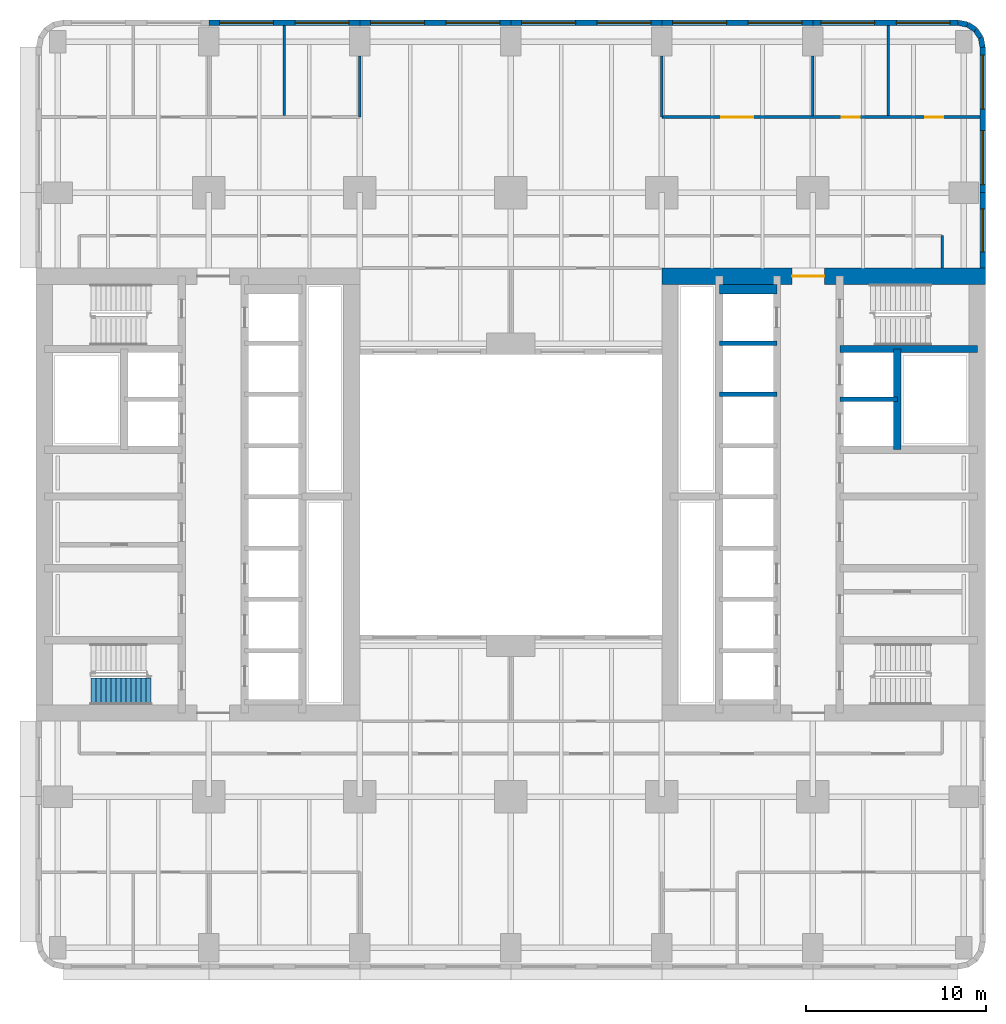
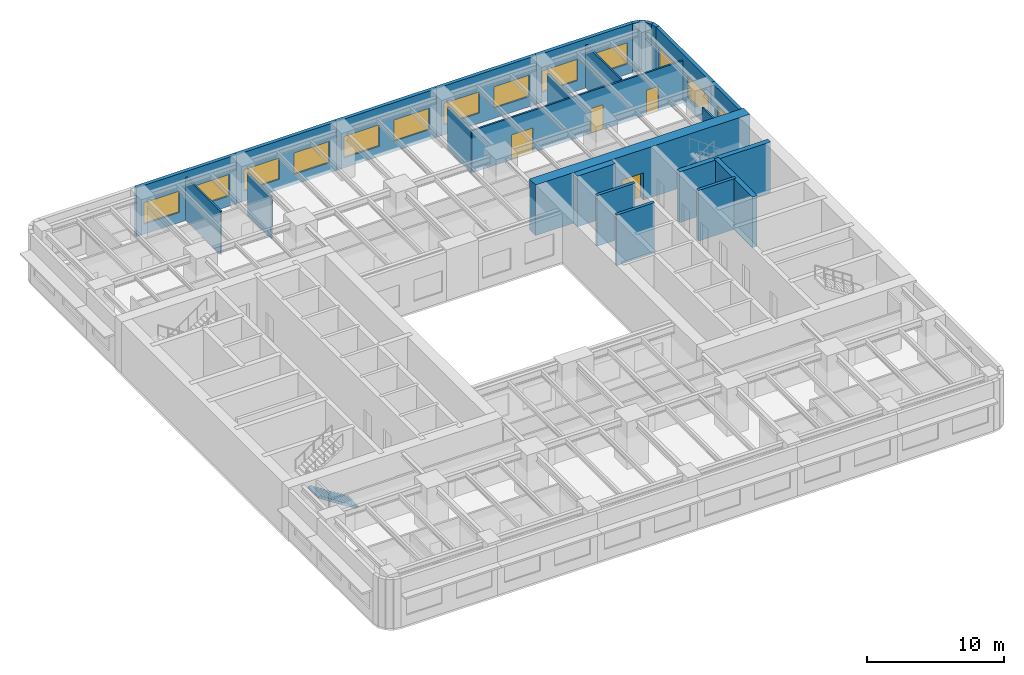
# One storey, part 7 of 14: 25 walls, 13 windows, 4 doors, 1 stair flight, 17 openings, 1 element without a shape of its own.
"""IFC4 building model written with IfcOpenShell, lengths in metres."""

from ifc_helpers import new_model, si_unit, direction, frame, frame_2d, origin, place, context, subcontext, project, spatial, polyline, rectangle, outline, extrude, material, layer, layer_set, type_object, element, fill, aggregate, save


model = new_model("IFC4")

# Units and contexts
model_context = context("Model", 3, precision=1e-05, world=origin(), true_north=direction((0.0, 1.0)))
body_context = subcontext(model_context, "Body", "Model", "MODEL_VIEW")
ifc_project = project(units=[si_unit("LENGTHUNIT", "METRE"), si_unit("AREAUNIT", "SQUARE_METRE"), si_unit("VOLUMEUNIT", "CUBIC_METRE"), si_unit("PLANEANGLEUNIT", "RADIAN"), si_unit("MASSUNIT", "GRAM", prefix="KILO")], contexts=[model_context])

# Site, building, storey
site_placement = place(None, origin())
site = spatial("IfcSite", under=ifc_project, at=site_placement, CompositionType="ELEMENT")
building_placement = place(site_placement, origin())
building = spatial("IfcBuilding", under=site, at=building_placement, Name="Claustro Exchange Tower", CompositionType="ELEMENT")
storey_placement = place(building_placement, frame((0.0, 0.0, 23.39990234375)))
storey = spatial("IfcBuildingStorey", under=building, at=storey_placement, Name="L05", CompositionType="ELEMENT", Elevation=23.39990234375)

# Walls
ifc_material_1 = material(Name="Gypsum board on steel studs", Category="steel")
ifc_layer_1 = layer(ifc_material_1, 0.14990234375)
ifc_layer_set_1 = layer_set([ifc_layer_1], Name="Gypsum board on steel studs")
wall_type_1 = type_object("IfcWallType", Name="P1 150 plasterboard partition", PredefinedType="PARTITIONING", material=ifc_layer_set_1)
wall_1_placement = place(storey_placement, frame((12.60009765625, 46.27392578125, 0.0), z_axis=(0.0, 0.0, 1.0), x_axis=(0.0, 1.0, 0.0)))
element("IfcWall", 1, at=wall_1_placement, inside=storey, type_object=wall_type_1, Name="Partition P1 L05", PredefinedType="PARTITIONING", context=body_context, shape_type="SweptSolid", body=[
    extrude(rectangle(XDim=5.028076171875, YDim=0.14990234375, at=frame_2d((2.51416015625, 0.0))), origin(), (0.0, 0.0, 1.0), 3.840087890625),
])
wall_2_placement = place(storey_placement, frame((16.800048828125, 46.199951171875, 0.0), z_axis=(0.0, 0.0, 1.0), x_axis=(0.0, 1.0, 0.0)))
element("IfcWall", 2, at=wall_2_placement, inside=storey, type_object=wall_type_1, Name="Partition P1 L05", PredefinedType="PARTITIONING", context=body_context, shape_type="SweptSolid", body=[
    extrude(rectangle(XDim=3.401123046875, YDim=0.14990234375, at=frame_2d((1.70068359375, 0.0))), origin(), (0.0, 0.0, 1.0), 3.739990234375),
])

# Wall, openings, doors
wall_3_placement = place(storey_placement, frame((33.60009765625, 46.199951171875, 0.0), z_axis=(0.0, 0.0, 1.0), x_axis=(1.0, 0.0, 0.0)))
wall_3 = element("IfcWall", 3, at=wall_3_placement, inside=storey, type_object=wall_type_1, Name="Partition P1 L05", PredefinedType="PARTITIONING", context=body_context, shape_type="SweptSolid", body=[
    extrude(rectangle(XDim=17.701904296875, YDim=0.14990234375, at=frame_2d((8.85107421875, 0.0))), origin(), (0.0, 0.0, 1.0), 3.739990234375),
])
opening_1_placement = place(wall_3_placement, frame((3.300048828125, 0.0, 0.0)))
opening_1 = element("IfcOpeningElement", 4, at=opening_1_placement, cuts=wall_3, Name="Opening D2", PredefinedType="OPENING", context=body_context, shape_type="SweptSolid", body=[
    extrude(rectangle(XDim=1.800048828125, YDim=2.199951171875, at=frame_2d((0.89990234375, 1.10009765625))), frame((0.0, 0.0849609375, 0.0), z_axis=(0.0, -1.0, 0.0), x_axis=(1.0, 0.0, 0.0)), (0.0, 0.0, 1.0), 0.169921875),
])
opening_2_placement = place(wall_3_placement, frame((10.0, 0.0, 0.0)))
opening_2 = element("IfcOpeningElement", 5, at=opening_2_placement, cuts=wall_3, Name="Opening D1", PredefinedType="OPENING", context=body_context, shape_type="SweptSolid", body=[
    extrude(rectangle(XDim=1.0, YDim=2.199951171875, at=frame_2d((0.5, 1.10009765625))), frame((0.0, 0.0849609375, 0.0), z_axis=(0.0, -1.0, 0.0), x_axis=(1.0, 0.0, 0.0)), (0.0, 0.0, 1.0), 0.169921875),
])
opening_3_placement = place(wall_3_placement, frame((14.64990234375, 0.0, 0.0)))
opening_3 = element("IfcOpeningElement", 6, at=opening_3_placement, cuts=wall_3, Name="Opening D1", PredefinedType="OPENING", context=body_context, shape_type="SweptSolid", body=[
    extrude(rectangle(XDim=1.0, YDim=2.199951171875, at=frame_2d((0.5, 1.10009765625))), frame((0.0, 0.0849609375, 0.0), z_axis=(0.0, -1.0, 0.0), x_axis=(1.0, 0.0, 0.0)), (0.0, 0.0, 1.0), 0.169921875),
])
ifc_material_2 = material(Name="Timber door, oak veneer", Category="wood")
door_type_1 = type_object("IfcDoorType", Name="D1 1000 x 2200 single door", OperationType="SINGLE_SWING_LEFT", PredefinedType="DOOR", material=ifc_material_2)
door_1_placement = place(opening_2_placement, origin())
door_1 = element("IfcDoor", 7, at=door_1_placement, inside=storey, type_object=door_type_1, Name="Door D1 L05", OperationType="SINGLE_SWING_LEFT", OverallHeight=2.199951171875, OverallWidth=1.0, PredefinedType="DOOR", context=body_context, shape_type="SweptSolid", body=[
    extrude(rectangle(XDim=1.0, YDim=2.199951171875, at=frame_2d((0.5, 1.10009765625))), frame((0.0, 0.02490234375, 0.0), z_axis=(0.0, -1.0, 0.0), x_axis=(1.0, 0.0, 0.0)), (0.0, 0.0, 1.0), 0.050048828125),
])
fill(opening_2, door_1)
door_2_placement = place(opening_3_placement, origin())
door_2 = element("IfcDoor", 8, at=door_2_placement, inside=storey, type_object=door_type_1, Name="Door D1 L05", OperationType="SINGLE_SWING_LEFT", OverallHeight=2.199951171875, OverallWidth=1.0, PredefinedType="DOOR", context=body_context, shape_type="SweptSolid", body=[
    extrude(rectangle(XDim=1.0, YDim=2.199951171875, at=frame_2d((0.5, 1.10009765625))), frame((0.0, 0.02490234375, 0.0), z_axis=(0.0, -1.0, 0.0), x_axis=(1.0, 0.0, 0.0)), (0.0, 0.0, 1.0), 0.050048828125),
])
fill(opening_3, door_2)
ifc_material_3 = material(Name="Timber door, oak veneer", Category="wood")
door_type_2 = type_object("IfcDoorType", Name="D2 1800 x 2200 double door", OperationType="DOUBLE_DOOR_SINGLE_SWING", PredefinedType="DOOR", material=ifc_material_3)
door_3_placement = place(opening_1_placement, origin())
door_3 = element("IfcDoor", 9, at=door_3_placement, inside=storey, type_object=door_type_2, Name="Double door D2 L05", OperationType="DOUBLE_DOOR_SINGLE_SWING", OverallHeight=2.199951171875, OverallWidth=1.800048828125, PredefinedType="DOOR", context=body_context, shape_type="SweptSolid", body=[
    extrude(rectangle(XDim=1.800048828125, YDim=2.199951171875, at=frame_2d((0.89990234375, 1.10009765625))), frame((0.0, 0.02490234375, 0.0), z_axis=(0.0, -1.0, 0.0), x_axis=(1.0, 0.0, 0.0)), (0.0, 0.0, 1.0), 0.050048828125),
])
fill(opening_1, door_3)

# Walls
wall_4_placement = place(storey_placement, frame((33.60009765625, 46.199951171875, 0.0), z_axis=(0.0, 0.0, 1.0), x_axis=(0.0, 1.0, 0.0)))
element("IfcWall", 10, at=wall_4_placement, inside=storey, type_object=wall_type_1, Name="Partition P1 L05", PredefinedType="PARTITIONING", context=body_context, shape_type="SweptSolid", body=[
    extrude(rectangle(XDim=3.401123046875, YDim=0.14990234375, at=frame_2d((1.70068359375, 0.0))), origin(), (0.0, 0.0, 1.0), 3.739990234375),
])
wall_5_placement = place(storey_placement, frame((42.0, 46.27392578125, 0.0), z_axis=(0.0, 0.0, 1.0), x_axis=(0.0, 1.0, 0.0)))
element("IfcWall", 11, at=wall_5_placement, inside=storey, type_object=wall_type_1, Name="Partition P1 L05", PredefinedType="PARTITIONING", context=body_context, shape_type="SweptSolid", body=[
    extrude(rectangle(XDim=3.3271484375, YDim=0.14990234375, at=frame_2d((1.66357421875, 0.0))), origin(), (0.0, 0.0, 1.0), 3.739990234375),
])
wall_6_placement = place(storey_placement, frame((46.199951171875, 46.27392578125, 0.0), z_axis=(0.0, 0.0, 1.0), x_axis=(0.0, 1.0, 0.0)))
element("IfcWall", 12, at=wall_6_placement, inside=storey, type_object=wall_type_1, Name="Partition P1 L05", PredefinedType="PARTITIONING", context=body_context, shape_type="SweptSolid", body=[
    extrude(rectangle(XDim=5.028076171875, YDim=0.14990234375, at=frame_2d((2.51416015625, 0.0))), origin(), (0.0, 0.0, 1.0), 3.840087890625),
])
wall_7_placement = place(storey_placement, frame((49.199951171875, 37.800048828125, 0.0), z_axis=(0.0, 0.0, 1.0), x_axis=(0.0, 1.0, 0.0)))
element("IfcWall", 13, at=wall_7_placement, inside=storey, type_object=wall_type_1, Name="Partition P1 L05", PredefinedType="PARTITIONING", context=body_context, shape_type="SweptSolid", body=[
    extrude(rectangle(XDim=1.800048828125, YDim=0.14990234375, at=frame_2d((0.89990234375, 0.0))), origin(), (0.0, 0.0, 1.0), 4.340087890625),
])

# Wall, openings, windows
ifc_material_4 = material(Name="Concrete HA-40 (C40/50), precast, white cement, acid-etched", Category="concrete")
ifc_layer_2 = layer(ifc_material_4, 0.300048828125)
ifc_layer_set_2 = layer_set([ifc_layer_2], Name="Concrete HA-40 (C40/50), precast, white cement, acid-etched")
wall_type_2 = type_object("IfcWallType", Name="PC1 300 precast concrete pier panel", PredefinedType="SOLIDWALL", material=ifc_layer_set_2)
wall_8_placement = place(storey_placement, frame((8.39990234375, 51.449951171875, 0.0), z_axis=(0.0, 0.0, 1.0), x_axis=(1.0, 0.0, 0.0)))
wall_8 = element("IfcWall", 14, at=wall_8_placement, inside=storey, type_object=wall_type_2, Name="Precast pier panel PC1 L05", PredefinedType="SOLIDWALL", context=body_context, shape_type="SweptSolid", body=[
    extrude(rectangle(XDim=8.400146484375, YDim=0.300048828125, at=frame_2d((4.2001953125, 0.0))), origin(), (0.0, 0.0, 1.0), 4.340087890625),
])
opening_4_placement = place(wall_8_placement, frame((0.60009765625, 0.0, 0.89990234375)))
opening_4 = element("IfcOpeningElement", 15, at=opening_4_placement, cuts=wall_8, Name="Opening W1", PredefinedType="OPENING", context=body_context, shape_type="SweptSolid", body=[
    extrude(rectangle(XDim=3.0, YDim=1.89990234375, at=frame_2d((1.5, 0.949951171875))), frame((0.0, 0.159912109375, 0.0), z_axis=(0.0, -1.0, 0.0), x_axis=(1.0, 0.0, 0.0)), (0.0, 0.0, 1.0), 0.320068359375),
])
opening_5_placement = place(wall_8_placement, frame((4.800048828125, 0.0, 0.89990234375)))
opening_5 = element("IfcOpeningElement", 16, at=opening_5_placement, cuts=wall_8, Name="Opening W1", PredefinedType="OPENING", context=body_context, shape_type="SweptSolid", body=[
    extrude(rectangle(XDim=3.0, YDim=1.89990234375, at=frame_2d((1.5, 0.949951171875))), frame((0.0, 0.159912109375, 0.0), z_axis=(0.0, -1.0, 0.0), x_axis=(1.0, 0.0, 0.0)), (0.0, 0.0, 1.0), 0.320068359375),
])
ifc_material_5 = material(Name="Aluminium frame, clear double glazing", Category="aluminium")
window_type_1 = type_object("IfcWindowType", Name="W1 3000 x 1900 window", PartitioningType="SINGLE_PANEL", PredefinedType="WINDOW", material=ifc_material_5)
window_1_placement = place(opening_4_placement, origin())
window_1 = element("IfcWindow", 17, at=window_1_placement, inside=storey, type_object=window_type_1, Name="Window W1 L05", OverallHeight=1.89990234375, OverallWidth=3.0, PartitioningType="SINGLE_PANEL", PredefinedType="WINDOW", context=body_context, shape_type="SweptSolid", body=[
    extrude(rectangle(XDim=3.0, YDim=1.89990234375, at=frame_2d((1.5, 0.949951171875))), frame((0.0, 0.030029296875, 0.0), z_axis=(0.0, -1.0, 0.0), x_axis=(1.0, 0.0, 0.0)), (0.0, 0.0, 1.0), 0.06005859375),
])
fill(opening_4, window_1)
window_2_placement = place(opening_5_placement, origin())
window_2 = element("IfcWindow", 18, at=window_2_placement, inside=storey, type_object=window_type_1, Name="Window W1 L05", OverallHeight=1.89990234375, OverallWidth=3.0, PartitioningType="SINGLE_PANEL", PredefinedType="WINDOW", context=body_context, shape_type="SweptSolid", body=[
    extrude(rectangle(XDim=3.0, YDim=1.89990234375, at=frame_2d((1.5, 0.949951171875))), frame((0.0, 0.030029296875, 0.0), z_axis=(0.0, -1.0, 0.0), x_axis=(1.0, 0.0, 0.0)), (0.0, 0.0, 1.0), 0.06005859375),
])
fill(opening_5, window_2)

wall_9_placement = place(storey_placement, frame((16.800048828125, 51.449951171875, 0.0), z_axis=(0.0, 0.0, 1.0), x_axis=(1.0, 0.0, 0.0)))
wall_9 = element("IfcWall", 19, at=wall_9_placement, inside=storey, type_object=wall_type_2, Name="Precast pier panel PC1 L05", PredefinedType="SOLIDWALL", context=body_context, shape_type="SweptSolid", body=[
    extrude(rectangle(XDim=8.39990234375, YDim=0.300048828125, at=frame_2d((4.199951171875, 0.0))), origin(), (0.0, 0.0, 1.0), 4.340087890625),
])
opening_6_placement = place(wall_9_placement, frame((0.60009765625, 0.0, 0.89990234375)))
opening_6 = element("IfcOpeningElement", 20, at=opening_6_placement, cuts=wall_9, Name="Opening W1", PredefinedType="OPENING", context=body_context, shape_type="SweptSolid", body=[
    extrude(rectangle(XDim=3.0, YDim=1.89990234375, at=frame_2d((1.5, 0.949951171875))), frame((0.0, 0.159912109375, 0.0), z_axis=(0.0, -1.0, 0.0), x_axis=(1.0, 0.0, 0.0)), (0.0, 0.0, 1.0), 0.320068359375),
])
opening_7_placement = place(wall_9_placement, frame((4.800048828125, 0.0, 0.89990234375)))
opening_7 = element("IfcOpeningElement", 21, at=opening_7_placement, cuts=wall_9, Name="Opening W1", PredefinedType="OPENING", context=body_context, shape_type="SweptSolid", body=[
    extrude(rectangle(XDim=3.0, YDim=1.89990234375, at=frame_2d((1.5, 0.949951171875))), frame((0.0, 0.159912109375, 0.0), z_axis=(0.0, -1.0, 0.0), x_axis=(1.0, 0.0, 0.0)), (0.0, 0.0, 1.0), 0.320068359375),
])
window_3_placement = place(opening_6_placement, origin())
window_3 = element("IfcWindow", 22, at=window_3_placement, inside=storey, type_object=window_type_1, Name="Window W1 L05", OverallHeight=1.89990234375, OverallWidth=3.0, PartitioningType="SINGLE_PANEL", PredefinedType="WINDOW", context=body_context, shape_type="SweptSolid", body=[
    extrude(rectangle(XDim=3.0, YDim=1.89990234375, at=frame_2d((1.5, 0.949951171875))), frame((0.0, 0.030029296875, 0.0), z_axis=(0.0, -1.0, 0.0), x_axis=(1.0, 0.0, 0.0)), (0.0, 0.0, 1.0), 0.06005859375),
])
fill(opening_6, window_3)
window_4_placement = place(opening_7_placement, origin())
window_4 = element("IfcWindow", 23, at=window_4_placement, inside=storey, type_object=window_type_1, Name="Window W1 L05", OverallHeight=1.89990234375, OverallWidth=3.0, PartitioningType="SINGLE_PANEL", PredefinedType="WINDOW", context=body_context, shape_type="SweptSolid", body=[
    extrude(rectangle(XDim=3.0, YDim=1.89990234375, at=frame_2d((1.5, 0.949951171875))), frame((0.0, 0.030029296875, 0.0), z_axis=(0.0, -1.0, 0.0), x_axis=(1.0, 0.0, 0.0)), (0.0, 0.0, 1.0), 0.06005859375),
])
fill(opening_7, window_4)

wall_10_placement = place(storey_placement, frame((25.199951171875, 51.449951171875, 0.0), z_axis=(0.0, 0.0, 1.0), x_axis=(1.0, 0.0, 0.0)))
wall_10 = element("IfcWall", 24, at=wall_10_placement, inside=storey, type_object=wall_type_2, Name="Precast pier panel PC1 L05", PredefinedType="SOLIDWALL", context=body_context, shape_type="SweptSolid", body=[
    extrude(rectangle(XDim=8.400146484375, YDim=0.300048828125, at=frame_2d((4.2001953125, 0.0))), origin(), (0.0, 0.0, 1.0), 4.340087890625),
])
opening_8_placement = place(wall_10_placement, frame((0.60009765625, 0.0, 0.89990234375)))
opening_8 = element("IfcOpeningElement", 25, at=opening_8_placement, cuts=wall_10, Name="Opening W1", PredefinedType="OPENING", context=body_context, shape_type="SweptSolid", body=[
    extrude(rectangle(XDim=3.0, YDim=1.89990234375, at=frame_2d((1.5, 0.949951171875))), frame((0.0, 0.159912109375, 0.0), z_axis=(0.0, -1.0, 0.0), x_axis=(1.0, 0.0, 0.0)), (0.0, 0.0, 1.0), 0.320068359375),
])
opening_9_placement = place(wall_10_placement, frame((4.800048828125, 0.0, 0.89990234375)))
opening_9 = element("IfcOpeningElement", 26, at=opening_9_placement, cuts=wall_10, Name="Opening W1", PredefinedType="OPENING", context=body_context, shape_type="SweptSolid", body=[
    extrude(rectangle(XDim=3.0, YDim=1.89990234375, at=frame_2d((1.5, 0.949951171875))), frame((0.0, 0.159912109375, 0.0), z_axis=(0.0, -1.0, 0.0), x_axis=(1.0, 0.0, 0.0)), (0.0, 0.0, 1.0), 0.320068359375),
])
window_5_placement = place(opening_8_placement, origin())
window_5 = element("IfcWindow", 27, at=window_5_placement, inside=storey, type_object=window_type_1, Name="Window W1 L05", OverallHeight=1.89990234375, OverallWidth=3.0, PartitioningType="SINGLE_PANEL", PredefinedType="WINDOW", context=body_context, shape_type="SweptSolid", body=[
    extrude(rectangle(XDim=3.0, YDim=1.89990234375, at=frame_2d((1.5, 0.949951171875))), frame((0.0, 0.030029296875, 0.0), z_axis=(0.0, -1.0, 0.0), x_axis=(1.0, 0.0, 0.0)), (0.0, 0.0, 1.0), 0.06005859375),
])
fill(opening_8, window_5)
window_6_placement = place(opening_9_placement, origin())
window_6 = element("IfcWindow", 28, at=window_6_placement, inside=storey, type_object=window_type_1, Name="Window W1 L05", OverallHeight=1.89990234375, OverallWidth=3.0, PartitioningType="SINGLE_PANEL", PredefinedType="WINDOW", context=body_context, shape_type="SweptSolid", body=[
    extrude(rectangle(XDim=3.0, YDim=1.89990234375, at=frame_2d((1.5, 0.949951171875))), frame((0.0, 0.030029296875, 0.0), z_axis=(0.0, -1.0, 0.0), x_axis=(1.0, 0.0, 0.0)), (0.0, 0.0, 1.0), 0.06005859375),
])
fill(opening_9, window_6)

wall_11_placement = place(storey_placement, frame((33.60009765625, 51.449951171875, 0.0), z_axis=(0.0, 0.0, 1.0), x_axis=(1.0, 0.0, 0.0)))
wall_11 = element("IfcWall", 29, at=wall_11_placement, inside=storey, type_object=wall_type_2, Name="Precast pier panel PC1 L05", PredefinedType="SOLIDWALL", context=body_context, shape_type="SweptSolid", body=[
    extrude(rectangle(XDim=8.39990234375, YDim=0.300048828125, at=frame_2d((4.199951171875, 0.0))), origin(), (0.0, 0.0, 1.0), 4.340087890625),
])
opening_10_placement = place(wall_11_placement, frame((0.60009765625, 0.0, 0.89990234375)))
opening_10 = element("IfcOpeningElement", 30, at=opening_10_placement, cuts=wall_11, Name="Opening W1", PredefinedType="OPENING", context=body_context, shape_type="SweptSolid", body=[
    extrude(rectangle(XDim=3.0, YDim=1.89990234375, at=frame_2d((1.5, 0.949951171875))), frame((0.0, 0.159912109375, 0.0), z_axis=(0.0, -1.0, 0.0), x_axis=(1.0, 0.0, 0.0)), (0.0, 0.0, 1.0), 0.320068359375),
])
opening_11_placement = place(wall_11_placement, frame((4.800048828125, 0.0, 0.89990234375)))
opening_11 = element("IfcOpeningElement", 31, at=opening_11_placement, cuts=wall_11, Name="Opening W1", PredefinedType="OPENING", context=body_context, shape_type="SweptSolid", body=[
    extrude(rectangle(XDim=3.0, YDim=1.89990234375, at=frame_2d((1.5, 0.949951171875))), frame((0.0, 0.159912109375, 0.0), z_axis=(0.0, -1.0, 0.0), x_axis=(1.0, 0.0, 0.0)), (0.0, 0.0, 1.0), 0.320068359375),
])
window_7_placement = place(opening_10_placement, origin())
window_7 = element("IfcWindow", 32, at=window_7_placement, inside=storey, type_object=window_type_1, Name="Window W1 L05", OverallHeight=1.89990234375, OverallWidth=3.0, PartitioningType="SINGLE_PANEL", PredefinedType="WINDOW", context=body_context, shape_type="SweptSolid", body=[
    extrude(rectangle(XDim=3.0, YDim=1.89990234375, at=frame_2d((1.5, 0.949951171875))), frame((0.0, 0.030029296875, 0.0), z_axis=(0.0, -1.0, 0.0), x_axis=(1.0, 0.0, 0.0)), (0.0, 0.0, 1.0), 0.06005859375),
])
fill(opening_10, window_7)
window_8_placement = place(opening_11_placement, origin())
window_8 = element("IfcWindow", 33, at=window_8_placement, inside=storey, type_object=window_type_1, Name="Window W1 L05", OverallHeight=1.89990234375, OverallWidth=3.0, PartitioningType="SINGLE_PANEL", PredefinedType="WINDOW", context=body_context, shape_type="SweptSolid", body=[
    extrude(rectangle(XDim=3.0, YDim=1.89990234375, at=frame_2d((1.5, 0.949951171875))), frame((0.0, 0.030029296875, 0.0), z_axis=(0.0, -1.0, 0.0), x_axis=(1.0, 0.0, 0.0)), (0.0, 0.0, 1.0), 0.06005859375),
])
fill(opening_11, window_8)

wall_12_placement = place(storey_placement, frame((42.0, 51.449951171875, 0.0), z_axis=(0.0, 0.0, 1.0), x_axis=(1.0, 0.0, 0.0)))
wall_12 = element("IfcWall", 34, at=wall_12_placement, inside=storey, type_object=wall_type_2, Name="Precast pier panel PC1 L05", PredefinedType="SOLIDWALL", context=body_context, shape_type="SweptSolid", body=[
    extrude(rectangle(XDim=8.085205078125, YDim=0.300048828125, at=frame_2d((4.04248046875, 0.0))), origin(), (0.0, 0.0, 1.0), 4.340087890625),
])
opening_12_placement = place(wall_12_placement, frame((0.442626953125, 0.0, 0.89990234375)))
opening_12 = element("IfcOpeningElement", 35, at=opening_12_placement, cuts=wall_12, Name="Opening W1", PredefinedType="OPENING", context=body_context, shape_type="SweptSolid", body=[
    extrude(rectangle(XDim=3.0, YDim=1.89990234375, at=frame_2d((1.5, 0.949951171875))), frame((0.0, 0.159912109375, 0.0), z_axis=(0.0, -1.0, 0.0), x_axis=(1.0, 0.0, 0.0)), (0.0, 0.0, 1.0), 0.320068359375),
])
opening_13_placement = place(wall_12_placement, frame((4.642578125, 0.0, 0.89990234375)))
opening_13 = element("IfcOpeningElement", 36, at=opening_13_placement, cuts=wall_12, Name="Opening W1", PredefinedType="OPENING", context=body_context, shape_type="SweptSolid", body=[
    extrude(rectangle(XDim=3.0, YDim=1.89990234375, at=frame_2d((1.5, 0.949951171875))), frame((0.0, 0.159912109375, 0.0), z_axis=(0.0, -1.0, 0.0), x_axis=(1.0, 0.0, 0.0)), (0.0, 0.0, 1.0), 0.320068359375),
])
window_9_placement = place(opening_12_placement, origin())
window_9 = element("IfcWindow", 37, at=window_9_placement, inside=storey, type_object=window_type_1, Name="Window W1 L05", OverallHeight=1.89990234375, OverallWidth=3.0, PartitioningType="SINGLE_PANEL", PredefinedType="WINDOW", context=body_context, shape_type="SweptSolid", body=[
    extrude(rectangle(XDim=3.0, YDim=1.89990234375, at=frame_2d((1.5, 0.949951171875))), frame((0.0, 0.030029296875, 0.0), z_axis=(0.0, -1.0, 0.0), x_axis=(1.0, 0.0, 0.0)), (0.0, 0.0, 1.0), 0.06005859375),
])
fill(opening_12, window_9)
window_10_placement = place(opening_13_placement, origin())
window_10 = element("IfcWindow", 38, at=window_10_placement, inside=storey, type_object=window_type_1, Name="Window W1 L05", OverallHeight=1.89990234375, OverallWidth=3.0, PartitioningType="SINGLE_PANEL", PredefinedType="WINDOW", context=body_context, shape_type="SweptSolid", body=[
    extrude(rectangle(XDim=3.0, YDim=1.89990234375, at=frame_2d((1.5, 0.949951171875))), frame((0.0, 0.030029296875, 0.0), z_axis=(0.0, -1.0, 0.0), x_axis=(1.0, 0.0, 0.0)), (0.0, 0.0, 1.0), 0.06005859375),
])
fill(opening_13, window_10)

# Walls
wall_13_placement = place(storey_placement, frame((50.085205078125, 51.449951171875, 0.0), z_axis=(0.0, 0.0, 1.0), x_axis=(0.980788534345, -0.195073962632, 0.0)))
element("IfcWall", 39, at=wall_13_placement, inside=storey, type_object=wall_type_2, Name="Precast pier panel PC1 L05", PredefinedType="SOLIDWALL", context=body_context, shape_type="SweptSolid", body=[
    extrude(rectangle(XDim=0.540771484375, YDim=0.300048828125, at=frame_2d((0.2705078125, 0.0))), origin(), (0.0, 0.0, 1.0), 4.340087890625),
])
for number, where, z_axis, x_axis, name in (
    (40, (50.615478515625, 51.344482421875, 0.0), (0.0, 0.0, 1.0), (0.831478144188, -0.555557463938, 0.0), "Precast pier panel PC1 L05"),
    (41, (51.052490234375, 51.052490234375, 0.0), (0.0, 0.0, 1.0), (0.555557463938, -0.831478144188, 0.0), "Precast pier panel PC1 L05"),
):
    element("IfcWall", number, at=place(storey_placement, frame(where, z_axis=z_axis, x_axis=x_axis)), inside=storey, type_object=wall_type_2, Name=name, PredefinedType="SOLIDWALL", context=body_context, shape_type="SweptSolid", body=[
        extrude(rectangle(XDim=0.525634765625, YDim=0.300048828125, at=frame_2d((0.2626953125, 0.0))), origin(), (0.0, 0.0, 1.0), 4.340087890625),
    ])
wall_14_placement = place(storey_placement, frame((51.344482421875, 50.615478515625, 0.0), z_axis=(0.0, 0.0, 1.0), x_axis=(0.195073962632, -0.980788534345, 0.0)))
element("IfcWall", 42, at=wall_14_placement, inside=storey, type_object=wall_type_2, Name="Precast pier panel PC1 L05", PredefinedType="SOLIDWALL", context=body_context, shape_type="SweptSolid", body=[
    extrude(rectangle(XDim=0.540771484375, YDim=0.300048828125, at=frame_2d((0.2705078125, 0.0))), origin(), (0.0, 0.0, 1.0), 4.340087890625),
])

# Wall, openings, windows
wall_15_placement = place(storey_placement, frame((51.449951171875, 50.085205078125, 0.0), z_axis=(0.0, 0.0, 1.0), x_axis=(0.0, -1.0, 0.0)))
wall_15 = element("IfcWall", 43, at=wall_15_placement, inside=storey, type_object=wall_type_2, Name="Precast pier panel PC1 L05", PredefinedType="SOLIDWALL", context=body_context, shape_type="SweptSolid", body=[
    extrude(rectangle(XDim=8.085205078125, YDim=0.300048828125, at=frame_2d((4.04248046875, 0.0))), origin(), (0.0, 0.0, 1.0), 4.340087890625),
])
opening_14_placement = place(wall_15_placement, frame((0.442626953125, 0.0, 0.89990234375)))
opening_14 = element("IfcOpeningElement", 44, at=opening_14_placement, cuts=wall_15, Name="Opening W1", PredefinedType="OPENING", context=body_context, shape_type="SweptSolid", body=[
    extrude(rectangle(XDim=3.0, YDim=1.89990234375, at=frame_2d((1.5, 0.949951171875))), frame((0.0, 0.159912109375, 0.0), z_axis=(0.0, -1.0, 0.0), x_axis=(1.0, 0.0, 0.0)), (0.0, 0.0, 1.0), 0.320068359375),
])
opening_15_placement = place(wall_15_placement, frame((4.642578125, 0.0, 0.89990234375)))
opening_15 = element("IfcOpeningElement", 45, at=opening_15_placement, cuts=wall_15, Name="Opening W1", PredefinedType="OPENING", context=body_context, shape_type="SweptSolid", body=[
    extrude(rectangle(XDim=3.0, YDim=1.89990234375, at=frame_2d((1.5, 0.949951171875))), frame((0.0, 0.159912109375, 0.0), z_axis=(0.0, -1.0, 0.0), x_axis=(1.0, 0.0, 0.0)), (0.0, 0.0, 1.0), 0.320068359375),
])
window_11_placement = place(opening_14_placement, origin())
window_11 = element("IfcWindow", 46, at=window_11_placement, inside=storey, type_object=window_type_1, Name="Window W1 L05", OverallHeight=1.89990234375, OverallWidth=3.0, PartitioningType="SINGLE_PANEL", PredefinedType="WINDOW", context=body_context, shape_type="SweptSolid", body=[
    extrude(rectangle(XDim=3.0, YDim=1.89990234375, at=frame_2d((1.5, 0.949951171875))), frame((0.0, 0.030029296875, 0.0), z_axis=(0.0, -1.0, 0.0), x_axis=(1.0, 0.0, 0.0)), (0.0, 0.0, 1.0), 0.06005859375),
])
fill(opening_14, window_11)
window_12_placement = place(opening_15_placement, origin())
window_12 = element("IfcWindow", 47, at=window_12_placement, inside=storey, type_object=window_type_1, Name="Window W1 L05", OverallHeight=1.89990234375, OverallWidth=3.0, PartitioningType="SINGLE_PANEL", PredefinedType="WINDOW", context=body_context, shape_type="SweptSolid", body=[
    extrude(rectangle(XDim=3.0, YDim=1.89990234375, at=frame_2d((1.5, 0.949951171875))), frame((0.0, 0.030029296875, 0.0), z_axis=(0.0, -1.0, 0.0), x_axis=(1.0, 0.0, 0.0)), (0.0, 0.0, 1.0), 0.06005859375),
])
fill(opening_15, window_12)

# Wall, opening, window
wall_16_placement = place(storey_placement, frame((51.449951171875, 42.0, 0.0), z_axis=(0.0, 0.0, 1.0), x_axis=(0.0, -1.0, 0.0)))
wall_16 = element("IfcWall", 48, at=wall_16_placement, inside=storey, type_object=wall_type_2, Name="Precast pier panel PC1 L05", PredefinedType="SOLIDWALL", context=body_context, shape_type="SweptSolid", body=[
    extrude(rectangle(XDim=4.199951171875, YDim=0.300048828125, at=frame_2d((2.10009765625, 0.0))), origin(), (0.0, 0.0, 1.0), 4.340087890625),
])
opening_16_placement = place(wall_16_placement, frame((0.89990234375, 0.0, 0.89990234375)))
opening_16 = element("IfcOpeningElement", 49, at=opening_16_placement, cuts=wall_16, Name="Opening W2", PredefinedType="OPENING", context=body_context, shape_type="SweptSolid", body=[
    extrude(rectangle(XDim=2.39990234375, YDim=1.89990234375, at=frame_2d((1.199951171875, 0.949951171875))), frame((0.0, 0.159912109375, 0.0), z_axis=(0.0, -1.0, 0.0), x_axis=(1.0, 0.0, 0.0)), (0.0, 0.0, 1.0), 0.320068359375),
])
ifc_material_6 = material(Name="Aluminium frame, clear double glazing", Category="aluminium")
window_type_2 = type_object("IfcWindowType", Name="W2 2400 x 1900 window", PartitioningType="SINGLE_PANEL", PredefinedType="WINDOW", material=ifc_material_6)
window_13_placement = place(opening_16_placement, origin())
window_13 = element("IfcWindow", 50, at=window_13_placement, inside=storey, type_object=window_type_2, Name="Window W2 L05", OverallHeight=1.89990234375, OverallWidth=2.39990234375, PartitioningType="SINGLE_PANEL", PredefinedType="WINDOW", context=body_context, shape_type="SweptSolid", body=[
    extrude(rectangle(XDim=2.39990234375, YDim=1.89990234375, at=frame_2d((1.199951171875, 0.949951171875))), frame((0.0, 0.030029296875, 0.0), z_axis=(0.0, -1.0, 0.0), x_axis=(1.0, 0.0, 0.0)), (0.0, 0.0, 1.0), 0.06005859375),
])
fill(opening_16, window_13)

# Wall, opening, door
ifc_material_7 = material(Name="Concrete HA-70 (C70/85)", Category="concrete")
ifc_layer_3 = layer(ifc_material_7, 0.89990234375)
ifc_layer_set_3 = layer_set([ifc_layer_3], Name="Concrete HA-70 (C70/85)")
wall_type_3 = type_object("IfcWallType", Name="SW1 900 core shear wall", PredefinedType="SHEAR", material=ifc_layer_set_3)
wall_17_placement = place(storey_placement, frame((33.60009765625, 37.35009765625, 0.0), z_axis=(0.0, 0.0, 1.0), x_axis=(1.0, 0.0, 0.0)))
wall_17 = element("IfcWall", 51, at=wall_17_placement, inside=storey, type_object=wall_type_3, Name="Core wall SW1 E core N face L05", PredefinedType="SHEAR", context=body_context, shape_type="SweptSolid", body=[
    extrude(rectangle(XDim=18.0, YDim=0.89990234375, at=frame_2d((9.0, 0.0))), origin(), (0.0, 0.0, 1.0), 4.5),
])
opening_17_placement = place(wall_17_placement, frame((7.25, 0.0, 0.0)))
opening_17 = element("IfcOpeningElement", 52, at=opening_17_placement, cuts=wall_17, Name="Opening D3", PredefinedType="OPENING", context=body_context, shape_type="SweptSolid", body=[
    extrude(rectangle(XDim=1.800048828125, YDim=2.39990234375, at=frame_2d((0.89990234375, 1.199951171875))), frame((0.0, 0.4599609375, 0.0), z_axis=(0.0, -1.0, 0.0), x_axis=(1.0, 0.0, 0.0)), (0.0, 0.0, 1.0), 0.919921875),
])
ifc_material_8 = material(Name="Steel fire door, painted", Category="steel")
door_type_3 = type_object("IfcDoorType", Name="D3 1800 x 2400 fire-rated lobby double door", OperationType="DOUBLE_DOOR_SINGLE_SWING", PredefinedType="DOOR", material=ifc_material_8)
door_4_placement = place(opening_17_placement, frame((1.800048828125, 0.0, 0.0), z_axis=(0.0, 0.0, 1.0), x_axis=(-1.0, 0.0, 0.0)))
door_4 = element("IfcDoor", 53, at=door_4_placement, inside=storey, type_object=door_type_3, Name="Lift lobby door D3 L05", OperationType="DOUBLE_DOOR_SINGLE_SWING", OverallHeight=2.39990234375, OverallWidth=1.800048828125, PredefinedType="DOOR", context=body_context, shape_type="SweptSolid", body=[
    extrude(rectangle(XDim=1.800048828125, YDim=2.39990234375, at=frame_2d((0.89990234375, 1.199951171875))), frame((0.0, 0.02490234375, 0.0), z_axis=(0.0, -1.0, 0.0), x_axis=(1.0, 0.0, 0.0)), (0.0, 0.0, 1.0), 0.050048828125),
])
fill(opening_17, door_4)

# Walls
ifc_material_9 = material(Name="Concrete HA-50 (C50/60)", Category="concrete")
ifc_layer_4 = layer(ifc_material_9, 0.39990234375)
ifc_layer_set_4 = layer_set([ifc_layer_4], Name="Concrete HA-50 (C50/60)")
wall_type_4 = type_object("IfcWallType", Name="SW4 400 internal core wall", PredefinedType="SHEAR", material=ifc_layer_set_4)
wall_18_placement = place(storey_placement, frame((51.14990234375, 33.300048828125, 0.0), z_axis=(0.0, 0.0, 1.0), x_axis=(-1.0, 0.0, 0.0)))
element("IfcWall", 54, at=wall_18_placement, inside=storey, type_object=wall_type_4, Name="Internal core wall SW4 E core L05", PredefinedType="SHEAR", context=body_context, shape_type="SweptSolid", body=[
    extrude(rectangle(XDim=7.64990234375, YDim=0.39990234375, at=frame_2d((3.824951171875, 0.0))), origin(), (0.0, 0.0, 1.0), 4.5),
])
wall_19_placement = place(storey_placement, frame((46.699951171875, 27.699951171875, 0.0), z_axis=(0.0, 0.0, 1.0), x_axis=(0.0, 1.0, 0.0)))
element("IfcWall", 55, at=wall_19_placement, inside=storey, type_object=wall_type_4, Name="Internal core wall SW4 E core L05", PredefinedType="SHEAR", context=body_context, shape_type="SweptSolid", body=[
    extrude(rectangle(XDim=5.60009765625, YDim=0.39990234375, at=frame_2d((2.800048828125, 0.0))), origin(), (0.0, 0.0, 1.0), 4.5),
])
ifc_material_10 = material(Name="Concrete HA-50 (C50/60)", Category="concrete")
ifc_layer_5 = layer(ifc_material_10, 0.25)
ifc_layer_set_5 = layer_set([ifc_layer_5], Name="Concrete HA-50 (C50/60)")
wall_type_5 = type_object("IfcWallType", Name="SW5 250 lift shaft divider wall", PredefinedType="SHEAR", material=ifc_layer_set_5)
for number, where, z_axis, x_axis, name in (
    (56, (46.699951171875, 30.5, 0.0), (0.0, 0.0, 1.0), (-1.0, 0.0, 0.0), "Lift shaft wall E core L05"),
    (57, (40.0, 30.77490234375, 0.0), (0.0, 0.0, 1.0), (-1.0, 0.0, 0.0), "Lift shaft wall E core L05"),
    (58, (40.0, 33.625, 0.0), (0.0, 0.0, 1.0), (-1.0, 0.0, 0.0), "Lift shaft wall E core L05"),
):
    element("IfcWall", number, at=place(storey_placement, frame(where, z_axis=z_axis, x_axis=x_axis)), inside=storey, type_object=wall_type_5, Name=name, PredefinedType="SHEAR", context=body_context, shape_type="SweptSolid", body=[
        extrude(rectangle(XDim=3.199951171875, YDim=0.25, at=frame_2d((1.60009765625, 0.0))), origin(), (0.0, 0.0, 1.0), 4.5),
    ])
ifc_material_11 = material(Name="Concrete HA-50 (C50/60)", Category="concrete")
ifc_layer_6 = layer(ifc_material_11, 0.550048828125)
ifc_layer_set_6 = layer_set([ifc_layer_6], Name="Concrete HA-50 (C50/60)")
wall_type_6 = type_object("IfcWallType", Name="SW6 550 lift shaft end wall", PredefinedType="SHEAR", material=ifc_layer_set_6)
wall_20_placement = place(storey_placement, frame((40.0, 36.625, 0.0), z_axis=(0.0, 0.0, 1.0), x_axis=(-1.0, 0.0, 0.0)))
element("IfcWall", 59, at=wall_20_placement, inside=storey, type_object=wall_type_6, Name="Lift shaft wall E core L05", PredefinedType="SHEAR", context=body_context, shape_type="SweptSolid", body=[
    extrude(rectangle(XDim=3.199951171875, YDim=0.550048828125, at=frame_2d((1.60009765625, 0.0))), origin(), (0.0, 0.0, 1.0), 4.5),
])

# Stair, stair flight
ifc_material_12 = material(Name="Concrete HA-30 (C30/37), precast", Category="concrete")
stair_type = type_object("IfcStairType", Name="ST2 half-turn stair, 25 risers of 180", PredefinedType="HALF_TURN_STAIR", material=ifc_material_12)
stair_placement = place(storey_placement, origin())
stair = element("IfcStair", 60, at=stair_placement, inside=storey, type_object=stair_type, Name="Stair STWA L05", PredefinedType="HALF_TURN_STAIR")
ifc_material_13 = material(Name="Concrete HA-30 (C30/37), precast", Category="concrete")
stair_flight_type = type_object("IfcStairFlightType", Name="SF13 straight flight, 13 risers of 180, 1500 wide", PredefinedType="STRAIGHT", material=ifc_material_13)
stair_flight_placement = place(storey_placement, frame((5.199951171875, 14.25, 0.0), z_axis=(0.0, 0.0, 1.0), x_axis=(-1.0, 0.0, 0.0)))
stair_flight = element("IfcStairFlight", 61, at=stair_flight_placement, type_object=stair_flight_type, Name="STWA flight 1", NumberOfRisers=13, NumberOfTreads=12, PredefinedType="STRAIGHT", RiserHeight=0.18, TreadLength=0.28, context=body_context, shape_type="SweptSolid", body=[
    extrude(outline(polyline([(0.0, 0.0), (0.0, 0.179931640625), (0.280029296875, 0.179931640625), (0.280029296875, 0.360107421875), (0.56005859375, 0.360107421875), (0.56005859375, 0.5400390625), (0.840087890625, 0.5400390625), (0.840087890625, 0.719970703125), (1.1201171875, 0.719970703125), (1.1201171875, 0.89990234375), (1.39990234375, 0.89990234375), (1.39990234375, 1.080078125), (1.679931640625, 1.080078125), (1.679931640625, 1.260009765625), (1.9599609375, 1.260009765625), (1.9599609375, 1.43994140625), (2.239990234375, 1.43994140625), (2.239990234375, 1.6201171875), (2.52001953125, 1.6201171875), (2.52001953125, 1.800048828125), (2.800048828125, 1.800048828125), (2.800048828125, 1.97998046875), (3.080078125, 1.97998046875), (3.080078125, 2.159912109375), (3.360107421875, 2.159912109375), (3.360107421875, 2.340087890625), (3.360107421875, 1.981689453125), (0.277099609375, 0.0), (0.0, 0.0)])), frame((0.0, 0.75, 0.0), z_axis=(0.0, -1.0, 0.0), x_axis=(1.0, 0.0, 0.0)), (0.0, 0.0, 1.0), 1.5),
])
aggregate(stair, [stair_flight])

save(model, "model.ifc")
